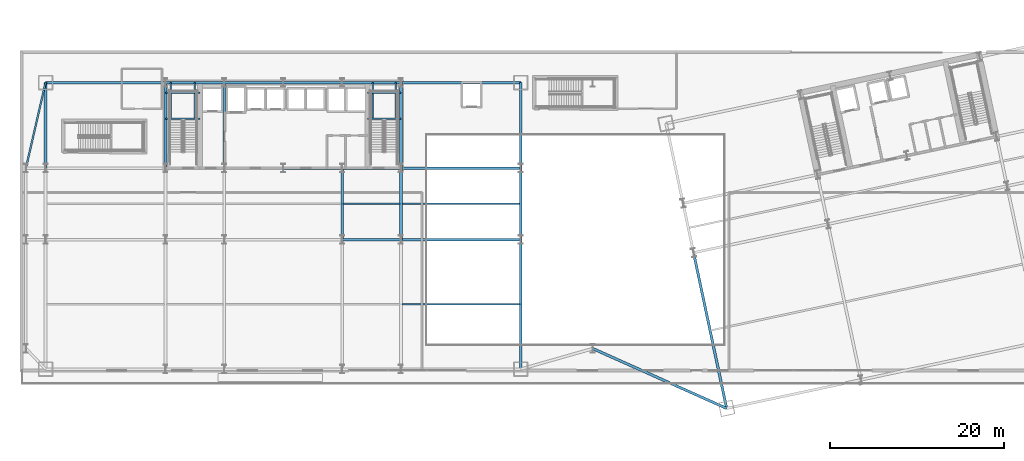
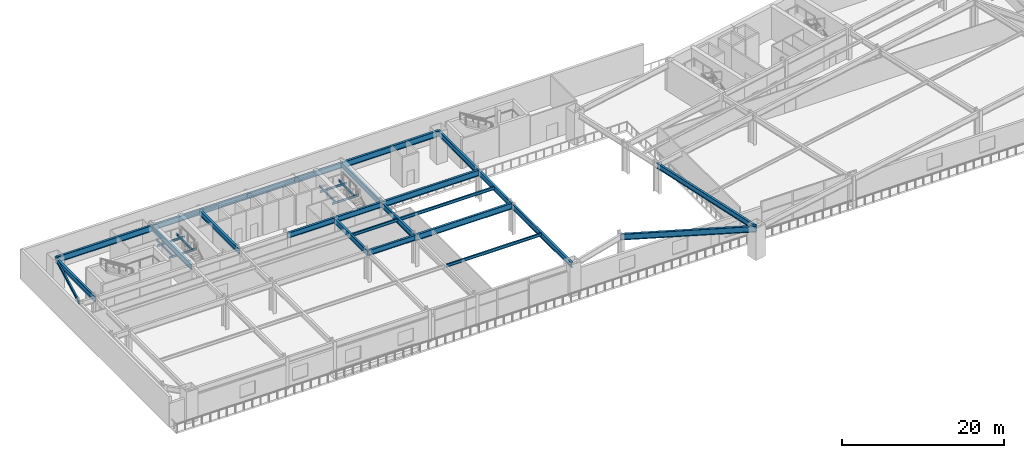
# One storey, part 7 of 28: 34 beams.
"""IFC4 building model written with IfcOpenShell, lengths in metres."""

from ifc_helpers import new_model, si_unit, direction, frame, origin, origin_2d, place, context, subcontext, project, spatial, i_section, extrude, material, material_profile, profile_set, type_object, element, save


model = new_model("IFC4")

# Units and contexts
model_context = context("Model", 3, precision=1e-05, world=origin(), true_north=direction((0.0, 1.0)))
body_context = subcontext(model_context, "Body", "Model", "MODEL_VIEW")
ifc_project = project(units=[si_unit("LENGTHUNIT", "METRE"), si_unit("AREAUNIT", "SQUARE_METRE"), si_unit("VOLUMEUNIT", "CUBIC_METRE"), si_unit("PLANEANGLEUNIT", "RADIAN"), si_unit("MASSUNIT", "GRAM", prefix="KILO")], contexts=[model_context])

# Site, building, storey
site_placement = place(None, origin())
site = spatial("IfcSite", under=ifc_project, at=site_placement, CompositionType="ELEMENT")
building_placement = place(site_placement, origin())
building = spatial("IfcBuilding", under=site, at=building_placement, Name="Haevon Station Towers", CompositionType="ELEMENT")
storey_placement = place(building_placement, frame((0.0, 0.0, 10.800048828125)))
storey = spatial("IfcBuildingStorey", under=building, at=storey_placement, Name="L02", CompositionType="ELEMENT", Elevation=10.800048828125)

# Beams
ifc_material = material(Name="Steel S355", Category="steel")
ifc_material_profile_1 = material_profile(ifc_material, i_section(OverallWidth=0.199951171875, OverallDepth=0.39990234375, WebThickness=0.008056640625, FlangeThickness=0.012939453125, at=origin_2d()), Name="H-400x200x8x13")
ifc_profile_set_1 = profile_set([ifc_material_profile_1], Name="Steel S355")
beam_type_1 = type_object("IfcBeamType", Name="BM-CANT400", PredefinedType="JOIST", material=ifc_profile_set_1)
beam_1_placement = place(storey_placement, frame((8.0, 38.199951171875, 4.300048828125), z_axis=(0.223768790916, 0.974642256529, 0.0), x_axis=(-0.974642256529, 0.223768790916, 0.0)))
element("IfcBeam", 1, at=beam_1_placement, inside=storey, type_object=beam_type_1, Name="BM-PODTERR-L02", PredefinedType="JOIST", context=body_context, shape_type="SweptSolid", body=[
    extrude(i_section(OverallWidth=0.199951171875, OverallDepth=0.39990234375, WebThickness=0.008056640625, FlangeThickness=0.012939453125, at=origin_2d()), origin(), (0.0, 0.0, 1.0), 10.054931640625),
])
ifc_material_profile_2 = material_profile(ifc_material, i_section(OverallWidth=0.199951171875, OverallDepth=0.449951171875, WebThickness=0.009033203125, FlangeThickness=0.013916015625, at=origin_2d()), Name="H-450x200x9x14")
ifc_profile_set_2 = profile_set([ifc_material_profile_2], Name="Steel S355")
beam_type_2 = type_object("IfcBeamType", Name="BM-J450", PredefinedType="JOIST", material=ifc_profile_set_2)
beam_2_placement = place(storey_placement, frame((51.110107421875, 22.574951171875, 4.27490234375), z_axis=(1.0, 0.0, 0.0), x_axis=(0.0, 1.0, 0.0)))
element("IfcBeam", 2, at=beam_2_placement, inside=storey, type_object=beam_type_2, Name="BM-T1J-L02-01-05", PredefinedType="JOIST", context=body_context, shape_type="SweptSolid", body=[
    extrude(i_section(OverallWidth=0.199951171875, OverallDepth=0.449951171875, WebThickness=0.009033203125, FlangeThickness=0.013916015625, at=origin_2d()), origin(), (0.0, 0.0, 1.0), 13.52978515625),
])
beam_3_placement = place(storey_placement, frame((44.360107421875, 34.10009765625, 4.27490234375), z_axis=(1.0, 0.0, 0.0), x_axis=(0.0, 1.0, 0.0)))
element("IfcBeam", 3, at=beam_3_placement, inside=storey, type_object=beam_type_2, Name="BM-T1J-L02-02-04", PredefinedType="JOIST", context=body_context, shape_type="SweptSolid", body=[
    extrude(i_section(OverallWidth=0.199951171875, OverallDepth=0.449951171875, WebThickness=0.009033203125, FlangeThickness=0.013916015625, at=origin_2d()), origin(), (0.0, 0.0, 1.0), 6.52978515625),
])
beam_4_placement = place(storey_placement, frame((51.110107421875, 34.10009765625, 4.27490234375), z_axis=(1.0, 0.0, 0.0), x_axis=(0.0, 1.0, 0.0)))
element("IfcBeam", 4, at=beam_4_placement, inside=storey, type_object=beam_type_2, Name="BM-T1J-L02-02-05", PredefinedType="JOIST", context=body_context, shape_type="SweptSolid", body=[
    extrude(i_section(OverallWidth=0.199951171875, OverallDepth=0.449951171875, WebThickness=0.009033203125, FlangeThickness=0.013916015625, at=origin_2d()), origin(), (0.0, 0.0, 1.0), 13.52978515625),
])
ifc_material_profile_3 = material_profile(ifc_material, i_section(OverallWidth=0.14990234375, OverallDepth=0.300048828125, WebThickness=0.006591796875, FlangeThickness=0.009033203125, at=origin_2d()), Name="H-300x150x6.5x9")
ifc_profile_set_3 = profile_set([ifc_material_profile_3], Name="Steel S355")
beam_type_3 = type_object("IfcBeamType", Name="BM-LIN300", PredefinedType="LINTEL", material=ifc_profile_set_3)
for number, where, z_axis, x_axis, name in (
    (5, (24.0, 43.864013671875, 2.050048828125), (1.0, 0.0, 0.0), (0.0, 1.0, 0.0), "BM-ST1L-L02-1-S"),
    (6, (24.0, 46.820068359375, 2.050048828125), (1.0, 0.0, 0.0), (0.0, 1.0, 0.0), "BM-ST1L-L02-1-N"),
):
    element("IfcBeam", number, at=place(storey_placement, frame(where, z_axis=z_axis, x_axis=x_axis)), inside=storey, type_object=beam_type_3, Name=name, PredefinedType="LINTEL", context=body_context, shape_type="SweptSolid", body=[
        extrude(i_section(OverallWidth=0.14990234375, OverallDepth=0.300048828125, WebThickness=0.006591796875, FlangeThickness=0.009033203125, at=origin_2d()), origin(), (0.0, 0.0, 1.0), 3.949951171875),
    ])
for number, where, z_axis, x_axis, name in (
    (7, (24.60009765625, 43.864013671875, 2.050048828125), (0.0, 1.0, 0.0), (-1.0, 0.0, 0.0), "BM-ST1L-L02-1-W"),
    (8, (27.35009765625, 43.864013671875, 2.050048828125), (0.0, 1.0, 0.0), (-1.0, 0.0, 0.0), "BM-ST1L-L02-1-E"),
):
    element("IfcBeam", number, at=place(storey_placement, frame(where, z_axis=z_axis, x_axis=x_axis)), inside=storey, type_object=beam_type_3, Name=name, PredefinedType="LINTEL", context=body_context, shape_type="SweptSolid", body=[
        extrude(i_section(OverallWidth=0.14990234375, OverallDepth=0.300048828125, WebThickness=0.006591796875, FlangeThickness=0.009033203125, at=origin_2d()), origin(), (0.0, 0.0, 1.0), 4.135986328125),
    ])
for number, where, z_axis, x_axis, name in (
    (9, (47.14990234375, 43.864013671875, 2.050048828125), (1.0, 0.0, 0.0), (0.0, 1.0, 0.0), "BM-ST2L-L02-1-S"),
    (10, (47.14990234375, 46.820068359375, 2.050048828125), (1.0, 0.0, 0.0), (0.0, 1.0, 0.0), "BM-ST2L-L02-1-N"),
):
    element("IfcBeam", number, at=place(storey_placement, frame(where, z_axis=z_axis, x_axis=x_axis)), inside=storey, type_object=beam_type_3, Name=name, PredefinedType="LINTEL", context=body_context, shape_type="SweptSolid", body=[
        extrude(i_section(OverallWidth=0.14990234375, OverallDepth=0.300048828125, WebThickness=0.006591796875, FlangeThickness=0.009033203125, at=origin_2d()), origin(), (0.0, 0.0, 1.0), 3.85009765625),
    ])
for number, where, z_axis, x_axis, name in (
    (11, (47.75, 43.864013671875, 2.050048828125), (0.0, 1.0, 0.0), (-1.0, 0.0, 0.0), "BM-ST2L-L02-1-W"),
    (12, (50.39990234375, 43.864013671875, 2.050048828125), (0.0, 1.0, 0.0), (-1.0, 0.0, 0.0), "BM-ST2L-L02-1-E"),
):
    element("IfcBeam", number, at=place(storey_placement, frame(where, z_axis=z_axis, x_axis=x_axis)), inside=storey, type_object=beam_type_3, Name=name, PredefinedType="LINTEL", context=body_context, shape_type="SweptSolid", body=[
        extrude(i_section(OverallWidth=0.14990234375, OverallDepth=0.300048828125, WebThickness=0.006591796875, FlangeThickness=0.009033203125, at=origin_2d()), origin(), (0.0, 0.0, 1.0), 4.135986328125),
    ])
ifc_material_profile_4 = material_profile(ifc_material, i_section(OverallWidth=0.300048828125, OverallDepth=0.800048828125, WebThickness=0.013916015625, FlangeThickness=0.02587890625, at=origin_2d()), Name="H-800x300x14x26")
ifc_profile_set_4 = profile_set([ifc_material_profile_4], Name="Steel S355")
beam_type_4 = type_object("IfcBeamType", Name="BM-PG800", PredefinedType="BEAM", material=ifc_profile_set_4)
for number, where, z_axis, x_axis, name in (
    (13, (44.25, 30.0, 4.099853515625), (1.0, 0.0, 0.0), (0.0, 1.0, 0.0), "BM-T1X-L02-02-05"),
    (14, (37.5, 38.199951171875, 4.099853515625), (1.0, 0.0, 0.0), (0.0, 1.0, 0.0), "BM-T1X-L02-03-04"),
    (15, (44.25, 38.199951171875, 4.099853515625), (1.0, 0.0, 0.0), (0.0, 1.0, 0.0), "BM-T1X-L02-03-05"),
    (16, (24.0, 48.0, 4.099853515625), (1.0, 0.0, 0.0), (0.0, 1.0, 0.0), "BM-T1X-L02-04-02"),
    (17, (30.75, 48.0, 4.099853515625), (1.0, 0.0, 0.0), (0.0, 1.0, 0.0), "BM-T1X-L02-04-03"),
    (18, (37.5, 48.0, 4.099853515625), (1.0, 0.0, 0.0), (0.0, 1.0, 0.0), "BM-T1X-L02-04-04"),
    (19, (44.25, 48.0, 4.099853515625), (1.0, 0.0, 0.0), (0.0, 1.0, 0.0), "BM-T1X-L02-04-05"),
):
    element("IfcBeam", number, at=place(storey_placement, frame(where, z_axis=z_axis, x_axis=x_axis)), inside=storey, type_object=beam_type_4, Name=name, PredefinedType="BEAM", context=body_context, shape_type="SweptSolid", body=[
        extrude(i_section(OverallWidth=0.300048828125, OverallDepth=0.800048828125, WebThickness=0.013916015625, FlangeThickness=0.02587890625, at=origin_2d()), origin(), (0.0, 0.0, 1.0), 6.75),
    ])
for number, where, z_axis, x_axis, name in (
    (20, (10.25, 38.199951171875, 4.099853515625), (0.0, 1.0, 0.0), (-1.0, 0.0, 0.0), "BM-T1Y-L02-01-03"),
    (21, (24.0, 38.199951171875, 4.099853515625), (0.0, 1.0, 0.0), (-1.0, 0.0, 0.0), "BM-T1Y-L02-02-03"),
    (22, (30.75, 38.199951171875, 4.099853515625), (0.0, 1.0, 0.0), (-1.0, 0.0, 0.0), "BM-T1Y-L02-03-03"),
):
    element("IfcBeam", number, at=place(storey_placement, frame(where, z_axis=z_axis, x_axis=x_axis)), inside=storey, type_object=beam_type_4, Name=name, PredefinedType="BEAM", context=body_context, shape_type="SweptSolid", body=[
        extrude(i_section(OverallWidth=0.300048828125, OverallDepth=0.800048828125, WebThickness=0.013916015625, FlangeThickness=0.02587890625, at=origin_2d()), origin(), (0.0, 0.0, 1.0), 9.800048828125),
    ])
for number, where, z_axis, x_axis, name in (
    (23, (44.25, 30.0, 4.099853515625), (0.0, 1.0, 0.0), (-1.0, 0.0, 0.0), "BM-T1Y-L02-05-02"),
    (24, (51.0, 30.0, 4.099853515625), (0.0, 1.0, 0.0), (-1.0, 0.0, 0.0), "BM-T1Y-L02-06-02"),
):
    element("IfcBeam", number, at=place(storey_placement, frame(where, z_axis=z_axis, x_axis=x_axis)), inside=storey, type_object=beam_type_4, Name=name, PredefinedType="BEAM", context=body_context, shape_type="SweptSolid", body=[
        extrude(i_section(OverallWidth=0.300048828125, OverallDepth=0.800048828125, WebThickness=0.013916015625, FlangeThickness=0.02587890625, at=origin_2d()), origin(), (0.0, 0.0, 1.0), 8.199951171875),
    ])
beam_5_placement = place(storey_placement, frame((51.0, 38.199951171875, 4.099853515625), z_axis=(0.0, 1.0, 0.0), x_axis=(-1.0, 0.0, 0.0)))
element("IfcBeam", 25, at=beam_5_placement, inside=storey, type_object=beam_type_4, Name="BM-T1Y-L02-06-03", PredefinedType="BEAM", context=body_context, shape_type="SweptSolid", body=[
    extrude(i_section(OverallWidth=0.300048828125, OverallDepth=0.800048828125, WebThickness=0.013916015625, FlangeThickness=0.02587890625, at=origin_2d()), origin(), (0.0, 0.0, 1.0), 9.800048828125),
])
beam_6_placement = place(storey_placement, frame((64.75, 15.14990234375, 4.099853515625), z_axis=(0.0, 1.0, 0.0), x_axis=(-1.0, 0.0, 0.0)))
element("IfcBeam", 26, at=beam_6_placement, inside=storey, type_object=beam_type_4, Name="BM-T1Y-L02-07-01", PredefinedType="BEAM", context=body_context, shape_type="SweptSolid", body=[
    extrude(i_section(OverallWidth=0.300048828125, OverallDepth=0.800048828125, WebThickness=0.013916015625, FlangeThickness=0.02587890625, at=origin_2d()), origin(), (0.0, 0.0, 1.0), 14.85009765625),
])
beam_7_placement = place(storey_placement, frame((64.75, 30.0, 4.099853515625), z_axis=(0.0, 1.0, 0.0), x_axis=(-1.0, 0.0, 0.0)))
element("IfcBeam", 27, at=beam_7_placement, inside=storey, type_object=beam_type_4, Name="BM-T1Y-L02-07-02", PredefinedType="BEAM", context=body_context, shape_type="SweptSolid", body=[
    extrude(i_section(OverallWidth=0.300048828125, OverallDepth=0.800048828125, WebThickness=0.013916015625, FlangeThickness=0.02587890625, at=origin_2d()), origin(), (0.0, 0.0, 1.0), 8.199951171875),
])
beam_8_placement = place(storey_placement, frame((64.75, 38.199951171875, 4.099853515625), z_axis=(0.0, 1.0, 0.0), x_axis=(-1.0, 0.0, 0.0)))
element("IfcBeam", 28, at=beam_8_placement, inside=storey, type_object=beam_type_4, Name="BM-T1Y-L02-07-03", PredefinedType="BEAM", context=body_context, shape_type="SweptSolid", body=[
    extrude(i_section(OverallWidth=0.300048828125, OverallDepth=0.800048828125, WebThickness=0.013916015625, FlangeThickness=0.02587890625, at=origin_2d()), origin(), (0.0, 0.0, 1.0), 9.800048828125),
])
beam_9_placement = place(storey_placement, frame((88.346923828125, 10.643310546875, 4.099853515625), z_axis=(-0.207912673377, 0.978147391884, 0.0), x_axis=(-0.978147391884, -0.207912673377, 0.0)))
element("IfcBeam", 29, at=beam_9_placement, inside=storey, type_object=beam_type_4, Name="BM-T2V-L02-01-01", PredefinedType="BEAM", context=body_context, shape_type="SweptSolid", body=[
    extrude(i_section(OverallWidth=0.300048828125, OverallDepth=0.800048828125, WebThickness=0.013916015625, FlangeThickness=0.02587890625, at=origin_2d()), origin(), (0.0, 0.0, 1.0), 18.250244140625),
])
ifc_material_profile_5 = material_profile(ifc_material, i_section(OverallWidth=0.300048828125, OverallDepth=0.89990234375, WebThickness=0.01611328125, FlangeThickness=0.028076171875, at=origin_2d()), Name="H-900x300x16x28")
ifc_profile_set_5 = profile_set([ifc_material_profile_5], Name="Steel S355")
beam_type_5 = type_object("IfcBeamType", Name="BM-PG900", PredefinedType="BEAM", material=ifc_profile_set_5)
for number, where, z_axis, x_axis, name in (
    (30, (51.0, 30.0, 4.050048828125), (1.0, 0.0, 0.0), (0.0, 1.0, 0.0), "BM-T1X-L02-02-06"),
    (31, (51.0, 38.199951171875, 4.050048828125), (1.0, 0.0, 0.0), (0.0, 1.0, 0.0), "BM-T1X-L02-03-06"),
    (32, (10.25, 48.0, 4.050048828125), (1.0, 0.0, 0.0), (0.0, 1.0, 0.0), "BM-T1X-L02-04-01"),
    (33, (51.0, 48.0, 4.050048828125), (1.0, 0.0, 0.0), (0.0, 1.0, 0.0), "BM-T1X-L02-04-06"),
):
    element("IfcBeam", number, at=place(storey_placement, frame(where, z_axis=z_axis, x_axis=x_axis)), inside=storey, type_object=beam_type_5, Name=name, PredefinedType="BEAM", context=body_context, shape_type="SweptSolid", body=[
        extrude(i_section(OverallWidth=0.300048828125, OverallDepth=0.89990234375, WebThickness=0.01611328125, FlangeThickness=0.028076171875, at=origin_2d()), origin(), (0.0, 0.0, 1.0), 13.75),
    ])
beam_10_placement = place(storey_placement, frame((73.0, 17.5, 4.050048828125), z_axis=(0.913018608866, -0.407917908242, 0.0), x_axis=(0.407917908242, 0.913018608866, 0.0)))
element("IfcBeam", 34, at=beam_10_placement, inside=storey, type_object=beam_type_5, Name="BM-PODLKS2-L02", PredefinedType="BEAM", context=body_context, shape_type="SweptSolid", body=[
    extrude(i_section(OverallWidth=0.300048828125, OverallDepth=0.89990234375, WebThickness=0.01611328125, FlangeThickness=0.028076171875, at=origin_2d()), origin(), (0.0, 0.0, 1.0), 16.80908203125),
])

save(model, "model.ifc")
